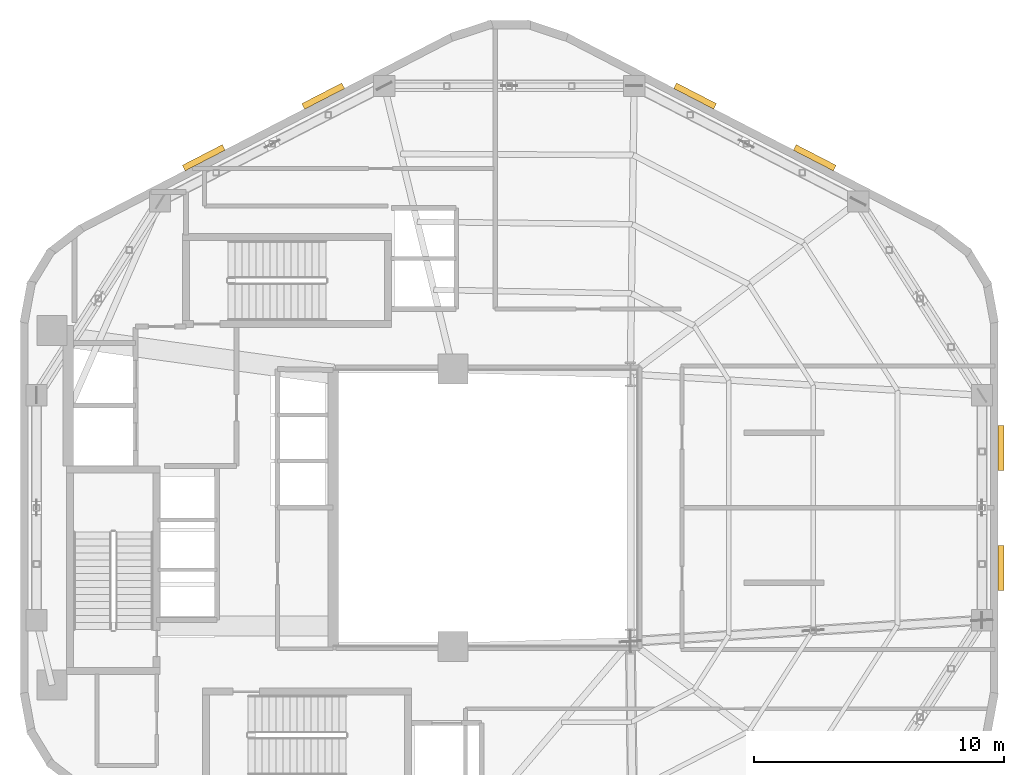
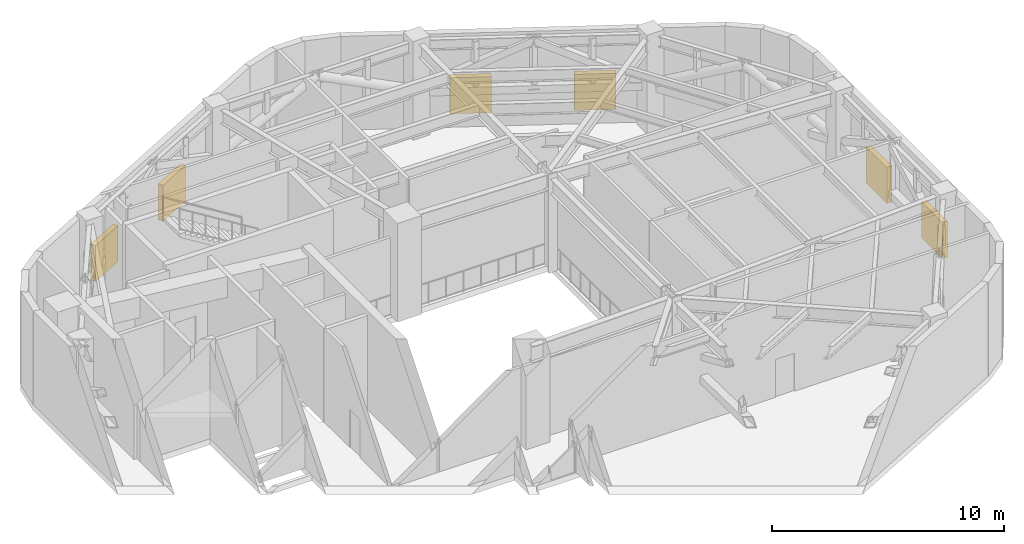
# One storey, part 10 of 10: 6 shading devices.
"""IFC4 building model written with IfcOpenShell, lengths in metres."""

from ifc_helpers import new_model, si_unit, direction, frame, origin, origin_2d, place, context, subcontext, project, spatial, rectangle, extrude, material, type_object, element, save


model = new_model("IFC4")

# Units and contexts
model_context = context("Model", 3, precision=1e-05, world=origin(), true_north=direction((0.0, 1.0)))
body_context = subcontext(model_context, "Body", "Model", "MODEL_VIEW")
ifc_project = project(units=[si_unit("LENGTHUNIT", "METRE"), si_unit("AREAUNIT", "SQUARE_METRE"), si_unit("VOLUMEUNIT", "CUBIC_METRE"), si_unit("PLANEANGLEUNIT", "RADIAN"), si_unit("MASSUNIT", "GRAM", prefix="KILO"), si_unit("THERMODYNAMICTEMPERATUREUNIT", "KELVIN"), si_unit("POWERUNIT", "WATT")], contexts=[model_context])

# Site, building, storey
site_placement = place(None, origin())
site = spatial("IfcSite", under=ifc_project, at=site_placement, CompositionType="ELEMENT")
building_placement = place(site_placement, origin())
building = spatial("IfcBuilding", under=site, at=building_placement, Name="Skarre Station Tower", CompositionType="ELEMENT")
storey_placement = place(building_placement, frame((0.0, 0.0, 191.25)))
storey = spatial("IfcBuildingStorey", under=building, at=storey_placement, Name="L52", CompositionType="ELEMENT", Elevation=191.25)

# Shading devices
ifc_material = material(Name="Powder-Coated Aluminium Acoustic Louvre", Category="aluminium")
shading_device_type = type_object("IfcShadingDeviceType", Name="Plant Intake Acoustic Weather Louvre 1800x2200", PredefinedType="JALOUSIE", material=ifc_material)
for number, where, z_axis, x_axis, name in (
    (1, (42.0439453125, 40.48193359375, 0.5), (0.0, 0.0, 1.0), (0.458634045118, 0.888625237464, 0.0), "L52 Facet 0 Mechanical Intake Louvre 1"),
    (2, (46.8291015625, 38.012939453125, 0.5), (0.0, 0.0, 1.0), (0.458634045118, 0.888625237464, 0.0), "L52 Facet 0 Mechanical Intake Louvre 2"),
    (3, (22.37109375, 38.012939453125, 0.5), (0.0, 0.0, 1.0), (-0.458634045118, 0.888625237464, 0.0), "L52 Facet 1 Mechanical Intake Louvre 1"),
    (4, (27.156005859375, 40.48193359375, 0.5), (0.0, 0.0, 1.0), (-0.458634045118, 0.888625237464, 0.0), "L52 Facet 1 Mechanical Intake Louvre 2"),
    (5, (54.281982421875, 26.40087890625, 0.5), (0.0, 0.0, 1.0), (1.0, 0.0, 0.0), "L52 Facet 5 Mechanical Intake Louvre 1"),
    (6, (54.281982421875, 21.59912109375, 0.5), (0.0, 0.0, 1.0), (1.0, 0.0, 0.0), "L52 Facet 5 Mechanical Intake Louvre 2"),
):
    element("IfcShadingDevice", number, at=place(storey_placement, frame(where, z_axis=z_axis, x_axis=x_axis)), inside=storey, type_object=shading_device_type, Name=name, PredefinedType="JALOUSIE", context=body_context, shape_type="SweptSolid", body=[
        extrude(rectangle(XDim=0.25, YDim=1.800048828125, at=origin_2d()), origin(), (0.0, 0.0, 1.0), 1.89990234375),
    ])

save(model, "model.ifc")
